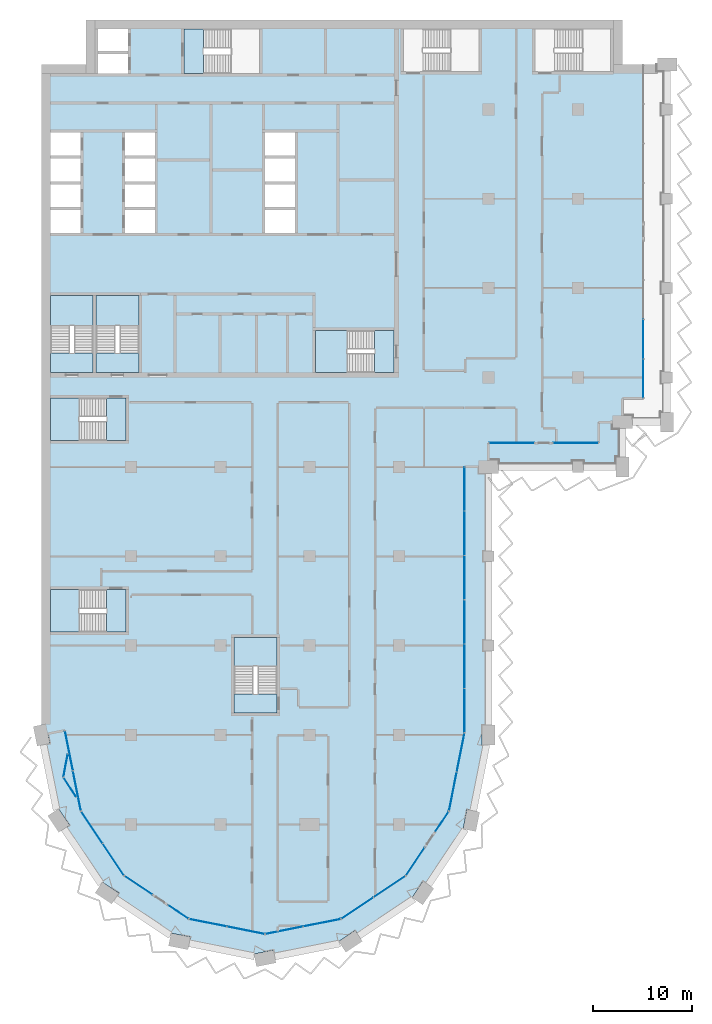
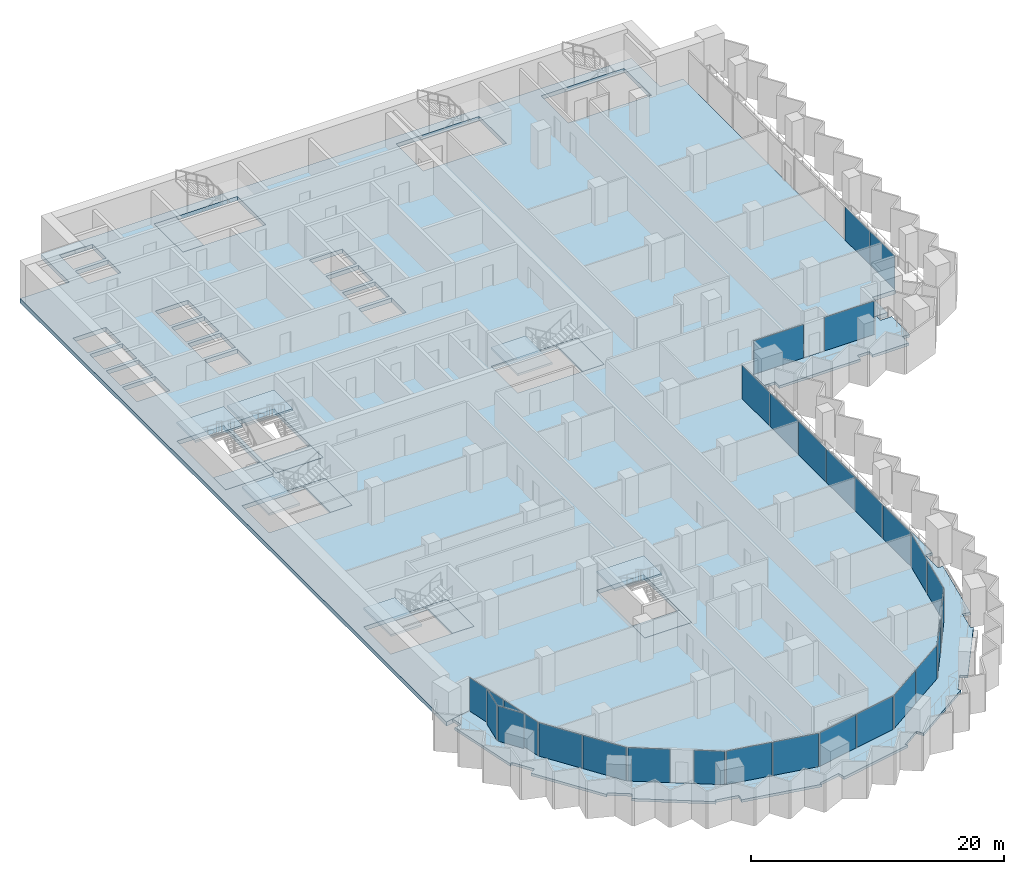
# One storey, part 8 of 23: 28 plates, 16 slabs, 22 elements without a shape of their own.
"""IFC4 building model written with IfcOpenShell, lengths in metres."""

from ifc_helpers import new_model, si_unit, direction, frame, origin, origin_2d, place, context, subcontext, project, spatial, polyline, rectangle, outline, extrude, material, layer, layer_set, type_object, element, aggregate, save


model = new_model("IFC4")

# Units and contexts
model_context = context("Model", 3, precision=1e-05, world=origin(), true_north=direction((0.0, 1.0)))
body_context = subcontext(model_context, "Body", "Model", "MODEL_VIEW")
ifc_project = project(units=[si_unit("LENGTHUNIT", "METRE"), si_unit("AREAUNIT", "SQUARE_METRE"), si_unit("VOLUMEUNIT", "CUBIC_METRE"), si_unit("PLANEANGLEUNIT", "RADIAN"), si_unit("MASSUNIT", "GRAM", prefix="KILO")], contexts=[model_context])

# Site, building, storey
site_placement = place(None, origin())
site = spatial("IfcSite", under=ifc_project, at=site_placement, CompositionType="ELEMENT")
building_placement = place(site_placement, origin())
building = spatial("IfcBuilding", under=site, at=building_placement, Name="Hunhe Ridgeline Campus", CompositionType="ELEMENT")
storey_placement = place(building_placement, frame((0.0, 0.0, 167.10009765625)))
storey = spatial("IfcBuildingStorey", under=building, at=storey_placement, Name="L42", CompositionType="ELEMENT", Elevation=167.10009765625)

# Curtain wall, plates
ifc_material_1 = material(Name="Aluminium 6063", Category="aluminium")
curtain_wall_type_1 = type_object("IfcCurtainWallType", Name="Curtain wall CW-5", PredefinedType="NOTDEFINED", material=ifc_material_1)
curtain_wall_1_placement = place(storey_placement, origin())
curtain_wall_1 = element("IfcCurtainWall", 1, at=curtain_wall_1_placement, inside=storey, type_object=curtain_wall_type_1, Name="Curtain wall 01", PredefinedType="NOTDEFINED")
ifc_material_2 = material(Name="Low-e laminated glass", Category="glass")
ifc_layer_1 = layer(ifc_material_2, 0.028076171875)
ifc_layer_set_1 = layer_set([ifc_layer_1], Name="Curtain wall glass panel 28 low-e laminated")
plate_type = type_object("IfcPlateType", Name="Curtain wall glass panel 28 low-e laminated", PredefinedType="CURTAIN_PANEL", material=ifc_layer_set_1)
plate_1_placement = place(storey_placement, frame((2.76318359375, 25.416015625, 0.0), z_axis=(0.0, 0.0, 1.0), x_axis=(0.195095347137, -0.980784280831, 0.0)))
plate_1 = element("IfcPlate", 2, at=plate_1_placement, type_object=plate_type, Name="CW-5 panel 1", PredefinedType="CURTAIN_PANEL", context=body_context, shape_type="SweptSolid", body=[
    extrude(rectangle(XDim=4.0458984375, YDim=0.028076171875, at=origin_2d()), origin(), (0.0, 0.0, 1.0), 3.22998046875),
])
plate_2_placement = place(storey_placement, frame((3.566162109375, 21.379150390625, 0.0), z_axis=(0.0, 0.0, 1.0), x_axis=(0.195095347137, -0.980784280831, 0.0)))
plate_2 = element("IfcPlate", 3, at=plate_2_placement, type_object=plate_type, Name="CW-5 panel 2", PredefinedType="CURTAIN_PANEL", context=body_context, shape_type="SweptSolid", body=[
    extrude(rectangle(XDim=4.0458984375, YDim=0.028076171875, at=origin_2d()), origin(), (0.0, 0.0, 1.0), 3.22998046875),
])
aggregate(curtain_wall_1, [plate_1, plate_2])

# Curtain wall, plate
curtain_wall_type_2 = type_object("IfcCurtainWallType", Name="Curtain wall CW-2", PredefinedType="NOTDEFINED", material=ifc_material_1)
curtain_wall_2_placement = place(storey_placement, origin())
curtain_wall_2 = element("IfcCurtainWall", 4, at=curtain_wall_2_placement, inside=storey, type_object=curtain_wall_type_2, Name="Curtain wall B01a", PredefinedType="NOTDEFINED")
plate_3_placement = place(storey_placement, frame((2.4248046875, 23.938720703125, 0.0), z_axis=(0.0, 0.0, 1.0), x_axis=(-0.183112559813, -0.983091954213, 0.0)))
plate_3 = element("IfcPlate", 5, at=plate_3_placement, type_object=plate_type, Name="CW-2 panel 1", PredefinedType="CURTAIN_PANEL", context=body_context, shape_type="SweptSolid", body=[
    extrude(rectangle(XDim=2.30322265625, YDim=0.028076171875, at=origin_2d()), origin(), (0.0, 0.0, 1.0), 3.389892578125),
])
aggregate(curtain_wall_2, [plate_3])

curtain_wall_3_placement = place(storey_placement, origin())
curtain_wall_3 = element("IfcCurtainWall", 6, at=curtain_wall_3_placement, inside=storey, type_object=curtain_wall_type_2, Name="Curtain wall B01b", PredefinedType="NOTDEFINED")
plate_4_placement = place(storey_placement, frame((2.86376953125, 21.73193359375, 0.0), z_axis=(0.0, 0.0, 1.0), x_axis=(0.545395474403, -0.838178845176, 0.0)))
plate_4 = element("IfcPlate", 7, at=plate_4_placement, type_object=plate_type, Name="CW-2 panel 1", PredefinedType="CURTAIN_PANEL", context=body_context, shape_type="SweptSolid", body=[
    extrude(rectangle(XDim=2.30322265625, YDim=0.028076171875, at=origin_2d()), origin(), (0.0, 0.0, 1.0), 3.389892578125),
])
aggregate(curtain_wall_3, [plate_4])

# Curtain wall, plates
curtain_wall_4_placement = place(storey_placement, origin())
curtain_wall_4 = element("IfcCurtainWall", 8, at=curtain_wall_4_placement, inside=storey, type_object=curtain_wall_type_1, Name="Curtain wall 02", PredefinedType="NOTDEFINED")
plate_5_placement = place(storey_placement, frame((5.07080078125, 17.685546875, 0.0), z_axis=(0.0, 0.0, 1.0), x_axis=(0.555570274596, -0.831469584522, 0.0)))
plate_5 = element("IfcPlate", 9, at=plate_5_placement, type_object=plate_type, Name="CW-5 panel 1", PredefinedType="CURTAIN_PANEL", context=body_context, shape_type="SweptSolid", body=[
    extrude(rectangle(XDim=3.806884765625, YDim=0.028076171875, at=origin_2d()), origin(), (0.0, 0.0, 1.0), 3.22998046875),
])
plate_6_placement = place(storey_placement, frame((7.224609375, 14.4619140625, 0.0), z_axis=(0.0, 0.0, 1.0), x_axis=(0.555570274596, -0.831469584522, 0.0)))
plate_6 = element("IfcPlate", 10, at=plate_6_placement, type_object=plate_type, Name="CW-5 panel 2", PredefinedType="CURTAIN_PANEL", context=body_context, shape_type="SweptSolid", body=[
    extrude(rectangle(XDim=3.806884765625, YDim=0.028076171875, at=origin_2d()), origin(), (0.0, 0.0, 1.0), 3.22998046875),
])
aggregate(curtain_wall_4, [plate_5, plate_6])

# Curtain wall, plate
curtain_wall_5_placement = place(storey_placement, origin())
curtain_wall_5 = element("IfcCurtainWall", 11, at=curtain_wall_5_placement, inside=storey, type_object=curtain_wall_type_1, Name="Curtain wall 03", PredefinedType="NOTDEFINED")
plate_7_placement = place(storey_placement, frame((9.76025390625, 11.859375, 0.0), z_axis=(0.0, 0.0, 1.0), x_axis=(0.831469595944, -0.555570257501, 0.0)))
plate_7 = element("IfcPlate", 12, at=plate_7_placement, type_object=plate_type, Name="CW-5 panel 1", PredefinedType="CURTAIN_PANEL", context=body_context, shape_type="SweptSolid", body=[
    extrude(rectangle(XDim=3.322021484375, YDim=0.028076171875, at=origin_2d()), origin(), (0.0, 0.0, 1.0), 3.22998046875),
])
aggregate(curtain_wall_5, [plate_7])

curtain_wall_6_placement = place(storey_placement, origin())
curtain_wall_6 = element("IfcCurtainWall", 13, at=curtain_wall_6_placement, inside=storey, type_object=curtain_wall_type_1, Name="Curtain wall 04", PredefinedType="NOTDEFINED")
plate_8_placement = place(storey_placement, frame((13.761474609375, 9.18603515625, 0.0), z_axis=(0.0, 0.0, 1.0), x_axis=(0.831469510353, -0.555570385598, 0.0)))
plate_8 = element("IfcPlate", 14, at=plate_8_placement, type_object=plate_type, Name="CW-5 panel 1", PredefinedType="CURTAIN_PANEL", context=body_context, shape_type="SweptSolid", body=[
    extrude(rectangle(XDim=2.421875, YDim=0.028076171875, at=origin_2d()), origin(), (0.0, 0.0, 1.0), 3.22998046875),
])
aggregate(curtain_wall_6, [plate_8])

# Curtain wall, plates
curtain_wall_7_placement = place(storey_placement, origin())
curtain_wall_7 = element("IfcCurtainWall", 15, at=curtain_wall_7_placement, inside=storey, type_object=curtain_wall_type_1, Name="Curtain wall 05", PredefinedType="NOTDEFINED")
plate_9_placement = place(storey_placement, frame((16.761962890625, 8.08935546875, 0.0), z_axis=(0.0, 0.0, 1.0), x_axis=(0.980785275326, -0.195090347539, 0.0)))
plate_9 = element("IfcPlate", 16, at=plate_9_placement, type_object=plate_type, Name="CW-5 panel 1", PredefinedType="CURTAIN_PANEL", context=body_context, shape_type="SweptSolid", body=[
    extrude(rectangle(XDim=3.806884765625, YDim=0.028076171875, at=origin_2d()), origin(), (0.0, 0.0, 1.0), 3.22998046875),
])
plate_10_placement = place(storey_placement, frame((20.564453125, 7.3330078125, 0.0), z_axis=(0.0, 0.0, 1.0), x_axis=(0.980785275326, -0.195090347539, 0.0)))
plate_10 = element("IfcPlate", 17, at=plate_10_placement, type_object=plate_type, Name="CW-5 panel 2", PredefinedType="CURTAIN_PANEL", context=body_context, shape_type="SweptSolid", body=[
    extrude(rectangle(XDim=3.806884765625, YDim=0.028076171875, at=origin_2d()), origin(), (0.0, 0.0, 1.0), 3.22998046875),
])
aggregate(curtain_wall_7, [plate_9, plate_10])

curtain_wall_8_placement = place(storey_placement, origin())
curtain_wall_8 = element("IfcCurtainWall", 18, at=curtain_wall_8_placement, inside=storey, type_object=curtain_wall_type_1, Name="Curtain wall 06", PredefinedType="NOTDEFINED")
plate_11_placement = place(storey_placement, frame((24.435546875, 7.3330078125, 0.0), z_axis=(0.0, 0.0, 1.0), x_axis=(0.980785275326, 0.195090347539, 0.0)))
plate_11 = element("IfcPlate", 19, at=plate_11_placement, type_object=plate_type, Name="CW-5 panel 1", PredefinedType="CURTAIN_PANEL", context=body_context, shape_type="SweptSolid", body=[
    extrude(rectangle(XDim=3.806884765625, YDim=0.028076171875, at=origin_2d()), origin(), (0.0, 0.0, 1.0), 3.22998046875),
])
plate_12_placement = place(storey_placement, frame((28.238037109375, 8.08935546875, 0.0), z_axis=(0.0, 0.0, 1.0), x_axis=(0.980785275326, 0.195090347539, 0.0)))
plate_12 = element("IfcPlate", 20, at=plate_12_placement, type_object=plate_type, Name="CW-5 panel 2", PredefinedType="CURTAIN_PANEL", context=body_context, shape_type="SweptSolid", body=[
    extrude(rectangle(XDim=3.806884765625, YDim=0.028076171875, at=origin_2d()), origin(), (0.0, 0.0, 1.0), 3.22998046875),
])
aggregate(curtain_wall_8, [plate_11, plate_12])

curtain_wall_9_placement = place(storey_placement, origin())
curtain_wall_9 = element("IfcCurtainWall", 21, at=curtain_wall_9_placement, inside=storey, type_object=curtain_wall_type_1, Name="Curtain wall 07", PredefinedType="NOTDEFINED")
plate_13_placement = place(storey_placement, frame((31.814453125, 9.57080078125, 0.0), z_axis=(0.0, 0.0, 1.0), x_axis=(0.831469584522, 0.555570274596, 0.0)))
plate_13 = element("IfcPlate", 22, at=plate_13_placement, type_object=plate_type, Name="CW-5 panel 1", PredefinedType="CURTAIN_PANEL", context=body_context, shape_type="SweptSolid", body=[
    extrude(rectangle(XDim=3.806884765625, YDim=0.028076171875, at=origin_2d()), origin(), (0.0, 0.0, 1.0), 3.22998046875),
])
plate_14_placement = place(storey_placement, frame((35.0380859375, 11.724609375, 0.0), z_axis=(0.0, 0.0, 1.0), x_axis=(0.831469584522, 0.555570274596, 0.0)))
plate_14 = element("IfcPlate", 23, at=plate_14_placement, type_object=plate_type, Name="CW-5 panel 2", PredefinedType="CURTAIN_PANEL", context=body_context, shape_type="SweptSolid", body=[
    extrude(rectangle(XDim=3.806884765625, YDim=0.028076171875, at=origin_2d()), origin(), (0.0, 0.0, 1.0), 3.22998046875),
])
aggregate(curtain_wall_9, [plate_13, plate_14])

# Curtain wall, plate
curtain_wall_10_placement = place(storey_placement, origin())
curtain_wall_10 = element("IfcCurtainWall", 24, at=curtain_wall_10_placement, inside=storey, type_object=curtain_wall_type_1, Name="Curtain wall 08", PredefinedType="NOTDEFINED")
plate_15_placement = place(storey_placement, frame((37.640625, 14.26025390625, 0.0), z_axis=(0.0, 0.0, 1.0), x_axis=(0.555570257501, 0.831469595944, 0.0)))
plate_15 = element("IfcPlate", 25, at=plate_15_placement, type_object=plate_type, Name="CW-5 panel 1", PredefinedType="CURTAIN_PANEL", context=body_context, shape_type="SweptSolid", body=[
    extrude(rectangle(XDim=3.322021484375, YDim=0.028076171875, at=origin_2d()), origin(), (0.0, 0.0, 1.0), 3.22998046875),
])
aggregate(curtain_wall_10, [plate_15])

curtain_wall_11_placement = place(storey_placement, origin())
curtain_wall_11 = element("IfcCurtainWall", 26, at=curtain_wall_11_placement, inside=storey, type_object=curtain_wall_type_1, Name="Curtain wall 09", PredefinedType="NOTDEFINED")
plate_16_placement = place(storey_placement, frame((40.31396484375, 18.261474609375, 0.0), z_axis=(0.0, 0.0, 1.0), x_axis=(0.555570385598, 0.831469510353, 0.0)))
plate_16 = element("IfcPlate", 27, at=plate_16_placement, type_object=plate_type, Name="CW-5 panel 1", PredefinedType="CURTAIN_PANEL", context=body_context, shape_type="SweptSolid", body=[
    extrude(rectangle(XDim=2.421875, YDim=0.028076171875, at=origin_2d()), origin(), (0.0, 0.0, 1.0), 3.22998046875),
])
aggregate(curtain_wall_11, [plate_16])

# Curtain wall, plates
curtain_wall_12_placement = place(storey_placement, origin())
curtain_wall_12 = element("IfcCurtainWall", 28, at=curtain_wall_12_placement, inside=storey, type_object=curtain_wall_type_1, Name="Curtain wall 10", PredefinedType="NOTDEFINED")
plate_17_placement = place(storey_placement, frame((41.42236328125, 21.321044921875, 0.0), z_axis=(0.0, 0.0, 1.0), x_axis=(0.195090299215, 0.980785284939, 0.0)))
plate_17 = element("IfcPlate", 29, at=plate_17_placement, type_object=plate_type, Name="CW-5 panel 1", PredefinedType="CURTAIN_PANEL", context=body_context, shape_type="SweptSolid", body=[
    extrude(rectangle(XDim=3.927490234375, YDim=0.028076171875, at=origin_2d()), origin(), (0.0, 0.0, 1.0), 3.22998046875),
])
plate_18_placement = place(storey_placement, frame((42.2021484375, 25.24169921875, 0.0), z_axis=(0.0, 0.0, 1.0), x_axis=(0.195090299215, 0.980785284939, 0.0)))
plate_18 = element("IfcPlate", 30, at=plate_18_placement, type_object=plate_type, Name="CW-5 panel 2", PredefinedType="CURTAIN_PANEL", context=body_context, shape_type="SweptSolid", body=[
    extrude(rectangle(XDim=3.927490234375, YDim=0.028076171875, at=origin_2d()), origin(), (0.0, 0.0, 1.0), 3.22998046875),
])
aggregate(curtain_wall_12, [plate_17, plate_18])

curtain_wall_type_3 = type_object("IfcCurtainWallType", Name="Curtain wall CW-1", PredefinedType="NOTDEFINED", material=ifc_material_1)
curtain_wall_13_placement = place(storey_placement, origin())
curtain_wall_13 = element("IfcCurtainWall", 31, at=curtain_wall_13_placement, inside=storey, type_object=curtain_wall_type_3, Name="Curtain wall 11", PredefinedType="NOTDEFINED")
plate_19_placement = place(storey_placement, frame((42.59912109375, 29.481689453125, 0.0), z_axis=(0.0, 0.0, 1.0), x_axis=(4.408911e-06, 0.99999999999, 0.0)))
plate_19 = element("IfcPlate", 32, at=plate_19_placement, type_object=plate_type, Name="CW-1 panel 1", PredefinedType="CURTAIN_PANEL", context=body_context, shape_type="SweptSolid", body=[
    extrude(rectangle(XDim=4.37060546875, YDim=0.028076171875, at=origin_2d()), origin(), (0.0, 0.0, 1.0), 3.239990234375),
])
plate_20_placement = place(storey_placement, frame((42.59912109375, 33.927490234375, 0.0), z_axis=(0.0, 0.0, 1.0), x_axis=(4.408911e-06, 0.99999999999, 0.0)))
plate_20 = element("IfcPlate", 33, at=plate_20_placement, type_object=plate_type, Name="CW-1 panel 2", PredefinedType="CURTAIN_PANEL", context=body_context, shape_type="SweptSolid", body=[
    extrude(rectangle(XDim=4.400634765625, YDim=0.028076171875, at=origin_2d()), origin(), (0.0, 0.0, 1.0), 3.239990234375),
])
plate_21_placement = place(storey_placement, frame((42.59912109375, 38.38818359375, 0.0), z_axis=(0.0, 0.0, 1.0), x_axis=(4.408911e-06, 0.99999999999, 0.0)))
plate_21 = element("IfcPlate", 34, at=plate_21_placement, type_object=plate_type, Name="CW-1 panel 3", PredefinedType="CURTAIN_PANEL", context=body_context, shape_type="SweptSolid", body=[
    extrude(rectangle(XDim=4.400634765625, YDim=0.028076171875, at=origin_2d()), origin(), (0.0, 0.0, 1.0), 3.239990234375),
])
plate_22_placement = place(storey_placement, frame((42.59912109375, 42.848876953125, 0.0), z_axis=(0.0, 0.0, 1.0), x_axis=(4.408911e-06, 0.99999999999, 0.0)))
plate_22 = element("IfcPlate", 35, at=plate_22_placement, type_object=plate_type, Name="CW-1 panel 4", PredefinedType="CURTAIN_PANEL", context=body_context, shape_type="SweptSolid", body=[
    extrude(rectangle(XDim=4.400634765625, YDim=0.028076171875, at=origin_2d()), origin(), (0.0, 0.0, 1.0), 3.239990234375),
])
plate_23_placement = place(storey_placement, frame((42.59912109375, 47.3095703125, 0.0), z_axis=(0.0, 0.0, 1.0), x_axis=(4.408911e-06, 0.99999999999, 0.0)))
plate_23 = element("IfcPlate", 36, at=plate_23_placement, type_object=plate_type, Name="CW-1 panel 5", PredefinedType="CURTAIN_PANEL", context=body_context, shape_type="SweptSolid", body=[
    extrude(rectangle(XDim=4.400634765625, YDim=0.028076171875, at=origin_2d()), origin(), (0.0, 0.0, 1.0), 3.239990234375),
])
plate_24_placement = place(storey_placement, frame((42.59912109375, 51.755126953125, 0.0), z_axis=(0.0, 0.0, 1.0), x_axis=(4.408911e-06, 0.99999999999, 0.0)))
plate_24 = element("IfcPlate", 37, at=plate_24_placement, type_object=plate_type, Name="CW-1 panel 6", PredefinedType="CURTAIN_PANEL", context=body_context, shape_type="SweptSolid", body=[
    extrude(rectangle(XDim=4.37060546875, YDim=0.028076171875, at=origin_2d()), origin(), (0.0, 0.0, 1.0), 3.239990234375),
])
aggregate(curtain_wall_13, [plate_19, plate_20, plate_21, plate_22, plate_23, plate_24])

# Curtain wall, plate
curtain_wall_14_placement = place(storey_placement, origin())
curtain_wall_14 = element("IfcCurtainWall", 38, at=curtain_wall_14_placement, inside=storey, type_object=curtain_wall_type_3, Name="Curtain wall 12", PredefinedType="NOTDEFINED")
plate_25_placement = place(storey_placement, frame((47.32470703125, 56.40087890625, 0.0), z_axis=(0.0, 0.0, 1.0), x_axis=(0.999999999999, 1.72058e-06, 0.0)))
plate_25 = element("IfcPlate", 39, at=plate_25_placement, type_object=plate_type, Name="CW-1 panel 1", PredefinedType="CURTAIN_PANEL", context=body_context, shape_type="SweptSolid", body=[
    extrude(rectangle(XDim=4.529541015625, YDim=0.028076171875, at=origin_2d()), origin(), (0.0, 0.0, 1.0), 3.239990234375),
])
aggregate(curtain_wall_14, [plate_25])

curtain_wall_15_placement = place(storey_placement, origin())
curtain_wall_15 = element("IfcCurtainWall", 40, at=curtain_wall_15_placement, inside=storey, type_object=curtain_wall_type_3, Name="Curtain wall 13", PredefinedType="NOTDEFINED")
plate_26_placement = place(storey_placement, frame((53.774169921875, 56.40087890625, 0.0), z_axis=(0.0, 0.0, 1.0), x_axis=(0.999999999999, 1.72058e-06, 0.0)))
plate_26 = element("IfcPlate", 41, at=plate_26_placement, type_object=plate_type, Name="CW-1 panel 1", PredefinedType="CURTAIN_PANEL", context=body_context, shape_type="SweptSolid", body=[
    extrude(rectangle(XDim=4.529541015625, YDim=0.028076171875, at=origin_2d()), origin(), (0.0, 0.0, 1.0), 3.239990234375),
])
aggregate(curtain_wall_15, [plate_26])

# Curtain wall, plates
curtain_wall_16_placement = place(storey_placement, origin())
curtain_wall_16 = element("IfcCurtainWall", 42, at=curtain_wall_16_placement, inside=storey, type_object=curtain_wall_type_3, Name="Curtain wall 14", PredefinedType="NOTDEFINED")
plate_27_placement = place(storey_placement, frame((60.59912109375, 62.9033203125, 0.0), z_axis=(0.0, 0.0, 1.0), x_axis=(0.0, 1.0, 0.0)))
plate_27 = element("IfcPlate", 43, at=plate_27_placement, type_object=plate_type, Name="CW-1 panel 1", PredefinedType="CURTAIN_PANEL", context=body_context, shape_type="SweptSolid", body=[
    extrude(rectangle(XDim=3.884765625, YDim=0.028076171875, at=origin_2d()), origin(), (0.0, 0.0, 1.0), 3.239990234375),
])
plate_28_placement = place(storey_placement, frame((60.59912109375, 66.86328125, 0.0), z_axis=(0.0, 0.0, 1.0), x_axis=(0.0, 1.0, 0.0)))
plate_28 = element("IfcPlate", 44, at=plate_28_placement, type_object=plate_type, Name="CW-1 panel 2", PredefinedType="CURTAIN_PANEL", context=body_context, shape_type="SweptSolid", body=[
    extrude(rectangle(XDim=3.914794921875, YDim=0.028076171875, at=origin_2d()), origin(), (0.0, 0.0, 1.0), 3.239990234375),
])
aggregate(curtain_wall_16, [plate_27, plate_28])

# Slabs
ifc_material_3 = material(Name="Concrete C40", Category="concrete")
ifc_layer_2 = layer(ifc_material_3, 0.39990234375)
ifc_layer_set_2 = layer_set([ifc_layer_2], Name="Floor slab 400 Concrete C40")
slab_type_1 = type_object("IfcSlabType", Name="Floor slab 400 Concrete C40", PredefinedType="FLOOR", material=ifc_layer_set_2)
slab_1_placement = place(storey_placement, frame((0.0, 0.0, -0.400146484375)))
element("IfcSlab", 45, at=slab_1_placement, inside=storey, type_object=slab_type_1, Name="Floor slab L42 1", PredefinedType="FLOOR", context=body_context, shape_type="SweptSolid", body=[
    extrude(outline(polyline([(2.354736328125, 27.46875), (3.974365234375, 19.326416015625), (8.321044921875, 12.821044921875), (14.826416015625, 8.474365234375), (22.5, 6.947998046875), (30.173583984375, 8.474365234375), (36.678955078125, 12.821044921875), (41.025634765625, 19.326416015625), (42.59912109375, 27.236572265625), (42.59912109375, 54.00048828125), (44.9990234375, 54.0009765625), (44.999755859375, 56.40087890625), (56.09912109375, 56.40087890625), (56.099365234375, 58.500732421875), (58.4990234375, 58.5009765625), (58.499267578125, 60.900634765625), (60.59912109375, 60.90087890625), (60.59912109375, 94.5), (58.5, 94.5), (58.5, 99.0), (4.5, 99.0), (4.5, 94.5), (0.0, 94.5), (0.0, 27.0009765625), (2.354736328125, 27.46875)]), holes=[polyline([(49.699951171875, 93.800048828125), (57.300048828125, 93.800048828125), (57.300048828125, 98.10009765625), (49.699951171875, 98.10009765625), (49.699951171875, 93.800048828125)]), polyline([(44.050048828125, 93.800048828125), (44.050048828125, 98.10009765625), (36.449951171875, 98.10009765625), (36.449951171875, 93.800048828125), (44.050048828125, 93.800048828125)]), polyline([(35.5, 67.75), (27.60009765625, 67.75), (27.60009765625, 63.5), (35.5, 63.5), (35.5, 67.75)]), polyline([(25.5, 82.75), (25.5, 85.050048828125), (22.5, 85.050048828125), (22.5, 82.75), (25.5, 82.75)]), polyline([(25.5, 82.449951171875), (22.5, 82.449951171875), (22.5, 80.14990234375), (25.5, 80.14990234375), (25.5, 82.449951171875)]), polyline([(22.5, 85.35009765625), (25.5, 85.35009765625), (25.5, 87.64990234375), (22.5, 87.64990234375), (22.5, 85.35009765625)]), polyline([(22.5, 79.85009765625), (22.5, 77.550048828125), (25.5, 77.550048828125), (25.5, 79.85009765625), (22.5, 79.85009765625)]), polyline([(19.39990234375, 29.199951171875), (23.699951171875, 29.199951171875), (23.699951171875, 36.800048828125), (19.39990234375, 36.800048828125), (19.39990234375, 29.199951171875)]), polyline([(21.949951171875, 93.60009765625), (21.949951171875, 98.10009765625), (14.35009765625, 98.10009765625), (14.35009765625, 93.60009765625), (21.949951171875, 93.60009765625)]), polyline([(8.39990234375, 79.85009765625), (8.39990234375, 77.550048828125), (11.39990234375, 77.550048828125), (11.39990234375, 79.85009765625), (8.39990234375, 79.85009765625)]), polyline([(8.39990234375, 85.35009765625), (11.39990234375, 85.35009765625), (11.39990234375, 87.64990234375), (8.39990234375, 87.64990234375), (8.39990234375, 85.35009765625)]), polyline([(11.39990234375, 82.449951171875), (8.39990234375, 82.449951171875), (8.39990234375, 80.14990234375), (11.39990234375, 80.14990234375), (11.39990234375, 82.449951171875)]), polyline([(11.39990234375, 82.75), (11.39990234375, 85.050048828125), (8.39990234375, 85.050048828125), (8.39990234375, 82.75), (11.39990234375, 82.75)]), polyline([(5.5, 71.25), (5.5, 63.5), (9.800048828125, 63.5), (9.800048828125, 71.25), (5.5, 71.25)]), polyline([(8.699951171875, 98.10009765625), (5.699951171875, 98.10009765625), (5.699951171875, 95.89990234375), (8.699951171875, 95.89990234375), (8.699951171875, 98.10009765625)]), polyline([(5.699951171875, 95.60009765625), (5.699951171875, 93.60009765625), (8.699951171875, 93.60009765625), (8.699951171875, 95.60009765625), (5.699951171875, 95.60009765625)]), polyline([(0.89990234375, 60.949951171875), (0.89990234375, 56.64990234375), (8.5, 56.64990234375), (8.5, 60.949951171875), (0.89990234375, 60.949951171875)]), polyline([(0.89990234375, 37.35009765625), (8.5, 37.35009765625), (8.5, 41.64990234375), (0.89990234375, 41.64990234375), (0.89990234375, 37.35009765625)]), polyline([(0.89990234375, 63.5), (5.199951171875, 63.5), (5.199951171875, 71.25), (0.89990234375, 71.25), (0.89990234375, 63.5)]), polyline([(3.89990234375, 82.75), (3.89990234375, 85.050048828125), (0.89990234375, 85.050048828125), (0.89990234375, 82.75), (3.89990234375, 82.75)]), polyline([(3.89990234375, 82.449951171875), (0.89990234375, 82.449951171875), (0.89990234375, 80.14990234375), (3.89990234375, 80.14990234375), (3.89990234375, 82.449951171875)]), polyline([(0.89990234375, 85.35009765625), (3.89990234375, 85.35009765625), (3.89990234375, 87.64990234375), (0.89990234375, 87.64990234375), (0.89990234375, 85.35009765625)]), polyline([(0.89990234375, 79.85009765625), (0.89990234375, 77.550048828125), (3.89990234375, 77.550048828125), (3.89990234375, 79.85009765625), (0.89990234375, 79.85009765625)])]), origin(), (0.0, 0.0, 1.0), 0.400146484375),
])
ifc_layer_3 = layer(ifc_material_3, 0.25)
ifc_layer_set_3 = layer_set([ifc_layer_3], Name="Loggia slab 250 Concrete C40")
slab_type_2 = type_object("IfcSlabType", Name="Loggia slab 250 Concrete C40", PredefinedType="FLOOR", material=ifc_layer_set_3)
slab_2_placement = place(storey_placement, frame((0.0, 0.0, -0.25)))
element("IfcSlab", 46, at=slab_2_placement, inside=storey, type_object=slab_type_2, Name="Loggia slab 1", PredefinedType="FLOOR", context=body_context, shape_type="SweptSolid", body=[
    extrude(outline(polyline([(30.173828125, 8.473388671875), (22.5, 6.947021484375), (14.826171875, 8.473388671875), (8.3203125, 12.8203125), (3.973388671875, 19.326171875), (2.35400390625, 27.46826171875), (0.637451171875, 27.126708984375), (0.83251953125, 26.14599609375), (0.195068359375, 26.019287109375), (1.50146484375, 19.451171875), (1.697509765625, 19.582275390625), (2.808837890625, 17.919189453125), (2.268310546875, 17.55810546875), (5.98876953125, 11.989990234375), (6.11962890625, 12.18603515625), (7.78271484375, 11.074951171875), (7.421630859375, 10.534423828125), (12.98974609375, 6.81396484375), (13.03564453125, 7.04541015625), (14.997314453125, 6.655029296875), (14.870361328125, 6.017578125), (21.4384765625, 4.711181640625), (21.392333984375, 4.9423828125), (23.35400390625, 5.33251953125), (23.480712890625, 4.695068359375), (30.048828125, 6.00146484375), (29.917724609375, 6.197509765625), (31.580810546875, 7.308837890625), (31.94189453125, 6.768310546875), (37.510009765625, 10.48876953125), (37.31396484375, 10.61962890625), (38.425048828125, 12.28271484375), (38.965576171875, 11.921630859375), (42.68603515625, 17.48974609375), (42.45458984375, 17.53564453125), (42.844970703125, 19.497314453125), (43.482421875, 19.370361328125), (44.801025390625, 26.0), (44.35009765625, 26.0), (44.35009765625, 28.0), (45.0, 28.0), (45.0, 35.449951171875), (44.449951171875, 35.449951171875), (44.449951171875, 36.550048828125), (45.0, 36.550048828125), (45.0, 44.449951171875), (44.449951171875, 44.449951171875), (44.449951171875, 45.550048828125), (45.0, 45.550048828125), (45.0, 53.35009765625), (44.0, 53.35009765625), (44.0, 54.0), (42.60009765625, 54.0), (42.60009765625, 27.236328125), (41.026611328125, 19.326171875), (36.6796875, 12.8203125), (30.173828125, 8.473388671875)])), origin(), (0.0, 0.0, 1.0), 0.25),
])
slab_3_placement = place(storey_placement, frame((0.0, 0.0, -0.25)))
element("IfcSlab", 47, at=slab_3_placement, inside=storey, type_object=slab_type_2, Name="Loggia slab 2", PredefinedType="FLOOR", context=body_context, shape_type="SweptSolid", body=[
    extrude(outline(polyline([(45.0, 54.64990234375), (46.0, 54.64990234375), (46.0, 54.0), (53.449951171875, 54.0), (53.449951171875, 54.550048828125), (54.550048828125, 54.550048828125), (54.550048828125, 54.0), (57.85009765625, 54.0), (57.85009765625, 55.0), (58.5, 55.0), (58.5, 57.85009765625), (57.5, 57.85009765625), (57.5, 58.5), (56.10009765625, 58.5), (56.10009765625, 56.39990234375), (45.0, 56.39990234375), (45.0, 54.64990234375)])), origin(), (0.0, 0.0, 1.0), 0.25),
])
ifc_layer_4 = layer(ifc_material_3, 0.199951171875)
ifc_layer_set_4 = layer_set([ifc_layer_4], Name="Reinforced concrete stair landing 200 Concrete C40")
slab_type_3 = type_object("IfcSlabType", Name="Reinforced concrete stair landing 200 Concrete C40", PredefinedType="LANDING", material=ifc_layer_set_4)
slab_4_placement = place(storey_placement, frame((0.0, 0.0, -0.2001953125)))
element("IfcSlab", 48, at=slab_4_placement, inside=storey, type_object=slab_type_3, Name="L42 stair S1 floor landing", PredefinedType="LANDING", context=body_context, shape_type="SweptSolid", body=[
    extrude(outline(polyline([(14.35009765625, 93.60009765625), (16.300048828125, 93.60009765625), (16.300048828125, 98.10009765625), (14.35009765625, 98.10009765625), (14.35009765625, 93.60009765625)])), origin(), (0.0, 0.0, 1.0), 0.2001953125),
])

# Stair, slab
stair_type = type_object("IfcStairType", Name="Reinforced concrete dog-leg stair 1950 Concrete C40", PredefinedType="HALF_TURN_STAIR", material=ifc_material_3)
stair_1_placement = place(storey_placement, origin())
stair_1 = element("IfcStair", 49, at=stair_1_placement, inside=storey, type_object=stair_type, Name="L42 S2", PredefinedType="HALF_TURN_STAIR")
slab_5_placement = place(storey_placement, frame((0.0, 0.0, 1.64990234375)))
slab_5 = element("IfcSlab", 50, at=slab_5_placement, type_object=slab_type_3, Name="ST2 landing 1", PredefinedType="LANDING", context=body_context, shape_type="SweptSolid", body=[
    extrude(outline(polyline([(30.75, 67.75), (27.60009765625, 67.75), (27.60009765625, 63.5), (30.75, 63.5), (30.75, 67.75)])), origin(), (0.0, 0.0, 1.0), 0.199951171875),
])
aggregate(stair_1, [slab_5])

# Slab
slab_6_placement = place(storey_placement, frame((0.0, 0.0, -0.2001953125)))
element("IfcSlab", 51, at=slab_6_placement, inside=storey, type_object=slab_type_3, Name="L42 stair S2 floor landing", PredefinedType="LANDING", context=body_context, shape_type="SweptSolid", body=[
    extrude(outline(polyline([(35.5, 67.75), (33.550048828125, 67.75), (33.550048828125, 63.5), (35.5, 63.5), (35.5, 67.75)])), origin(), (0.0, 0.0, 1.0), 0.2001953125),
])

# Stair, slab
stair_2_placement = place(storey_placement, origin())
stair_2 = element("IfcStair", 52, at=stair_2_placement, inside=storey, type_object=stair_type, Name="L42 S3", PredefinedType="HALF_TURN_STAIR")
slab_7_placement = place(storey_placement, frame((0.0, 0.0, 1.64990234375)))
slab_7 = element("IfcSlab", 53, at=slab_7_placement, type_object=slab_type_3, Name="ST3 landing 1", PredefinedType="LANDING", context=body_context, shape_type="SweptSolid", body=[
    extrude(outline(polyline([(5.199951171875, 68.25), (5.199951171875, 71.25), (0.89990234375, 71.25), (0.89990234375, 68.25), (5.199951171875, 68.25)])), origin(), (0.0, 0.0, 1.0), 0.199951171875),
])
aggregate(stair_2, [slab_7])

# Slab
slab_8_placement = place(storey_placement, frame((0.0, 0.0, -0.2001953125)))
element("IfcSlab", 54, at=slab_8_placement, inside=storey, type_object=slab_type_3, Name="L42 stair S3 floor landing", PredefinedType="LANDING", context=body_context, shape_type="SweptSolid", body=[
    extrude(outline(polyline([(5.199951171875, 63.5), (5.199951171875, 65.449951171875), (0.89990234375, 65.449951171875), (0.89990234375, 63.5), (5.199951171875, 63.5)])), origin(), (0.0, 0.0, 1.0), 0.2001953125),
])

# Stair, slab
stair_3_placement = place(storey_placement, origin())
stair_3 = element("IfcStair", 55, at=stair_3_placement, inside=storey, type_object=stair_type, Name="L42 S4", PredefinedType="HALF_TURN_STAIR")
slab_9_placement = place(storey_placement, frame((0.0, 0.0, 1.64990234375)))
slab_9 = element("IfcSlab", 56, at=slab_9_placement, type_object=slab_type_3, Name="ST4 landing 1", PredefinedType="LANDING", context=body_context, shape_type="SweptSolid", body=[
    extrude(outline(polyline([(9.800048828125, 68.25), (9.800048828125, 71.25), (5.5, 71.25), (5.5, 68.25), (9.800048828125, 68.25)])), origin(), (0.0, 0.0, 1.0), 0.199951171875),
])
aggregate(stair_3, [slab_9])

# Slab
slab_10_placement = place(storey_placement, frame((0.0, 0.0, -0.2001953125)))
element("IfcSlab", 57, at=slab_10_placement, inside=storey, type_object=slab_type_3, Name="L42 stair S4 floor landing", PredefinedType="LANDING", context=body_context, shape_type="SweptSolid", body=[
    extrude(outline(polyline([(9.800048828125, 63.5), (9.800048828125, 65.449951171875), (5.5, 65.449951171875), (5.5, 63.5), (9.800048828125, 63.5)])), origin(), (0.0, 0.0, 1.0), 0.2001953125),
])

# Stair, slab
stair_4_placement = place(storey_placement, origin())
stair_4 = element("IfcStair", 58, at=stair_4_placement, inside=storey, type_object=stair_type, Name="L42 W3", PredefinedType="HALF_TURN_STAIR")
slab_11_placement = place(storey_placement, frame((0.0, 0.0, 1.64990234375)))
slab_11 = element("IfcSlab", 59, at=slab_11_placement, type_object=slab_type_3, Name="ST9 landing 1", PredefinedType="LANDING", context=body_context, shape_type="SweptSolid", body=[
    extrude(outline(polyline([(23.699951171875, 33.949951171875), (23.699951171875, 36.800048828125), (19.39990234375, 36.800048828125), (19.39990234375, 33.949951171875), (23.699951171875, 33.949951171875)])), origin(), (0.0, 0.0, 1.0), 0.199951171875),
])
aggregate(stair_4, [slab_11])

# Slab
slab_12_placement = place(storey_placement, frame((0.0, 0.0, -0.2001953125)))
element("IfcSlab", 60, at=slab_12_placement, inside=storey, type_object=slab_type_3, Name="L42 stair W3 floor landing", PredefinedType="LANDING", context=body_context, shape_type="SweptSolid", body=[
    extrude(outline(polyline([(23.699951171875, 29.199951171875), (23.699951171875, 31.14990234375), (19.39990234375, 31.14990234375), (19.39990234375, 29.199951171875), (23.699951171875, 29.199951171875)])), origin(), (0.0, 0.0, 1.0), 0.2001953125),
])

# Stair, slab
stair_5_placement = place(storey_placement, origin())
stair_5 = element("IfcStair", 61, at=stair_5_placement, inside=storey, type_object=stair_type, Name="L42 W1", PredefinedType="HALF_TURN_STAIR")
slab_13_placement = place(storey_placement, frame((0.0, 0.0, 1.64990234375)))
slab_13 = element("IfcSlab", 62, at=slab_13_placement, type_object=slab_type_3, Name="ST11 landing 1", PredefinedType="LANDING", context=body_context, shape_type="SweptSolid", body=[
    extrude(outline(polyline([(3.75, 41.64990234375), (0.89990234375, 41.64990234375), (0.89990234375, 37.35009765625), (3.75, 37.35009765625), (3.75, 41.64990234375)])), origin(), (0.0, 0.0, 1.0), 0.199951171875),
])
aggregate(stair_5, [slab_13])

# Slab
slab_14_placement = place(storey_placement, frame((0.0, 0.0, -0.2001953125)))
element("IfcSlab", 63, at=slab_14_placement, inside=storey, type_object=slab_type_3, Name="L42 stair W1 floor landing", PredefinedType="LANDING", context=body_context, shape_type="SweptSolid", body=[
    extrude(outline(polyline([(8.5, 41.64990234375), (6.550048828125, 41.64990234375), (6.550048828125, 37.35009765625), (8.5, 37.35009765625), (8.5, 41.64990234375)])), origin(), (0.0, 0.0, 1.0), 0.2001953125),
])

# Stair, slab
stair_6_placement = place(storey_placement, origin())
stair_6 = element("IfcStair", 64, at=stair_6_placement, inside=storey, type_object=stair_type, Name="L42 W2", PredefinedType="HALF_TURN_STAIR")
slab_15_placement = place(storey_placement, frame((0.0, 0.0, 1.64990234375)))
slab_15 = element("IfcSlab", 65, at=slab_15_placement, type_object=slab_type_3, Name="ST12 landing 1", PredefinedType="LANDING", context=body_context, shape_type="SweptSolid", body=[
    extrude(outline(polyline([(3.75, 60.949951171875), (0.89990234375, 60.949951171875), (0.89990234375, 56.64990234375), (3.75, 56.64990234375), (3.75, 60.949951171875)])), origin(), (0.0, 0.0, 1.0), 0.199951171875),
])
aggregate(stair_6, [slab_15])

# Slab
slab_16_placement = place(storey_placement, frame((0.0, 0.0, -0.2001953125)))
element("IfcSlab", 66, at=slab_16_placement, inside=storey, type_object=slab_type_3, Name="L42 stair W2 floor landing", PredefinedType="LANDING", context=body_context, shape_type="SweptSolid", body=[
    extrude(outline(polyline([(8.5, 60.949951171875), (6.550048828125, 60.949951171875), (6.550048828125, 56.64990234375), (8.5, 56.64990234375), (8.5, 60.949951171875)])), origin(), (0.0, 0.0, 1.0), 0.2001953125),
])

save(model, "model.ifc")
